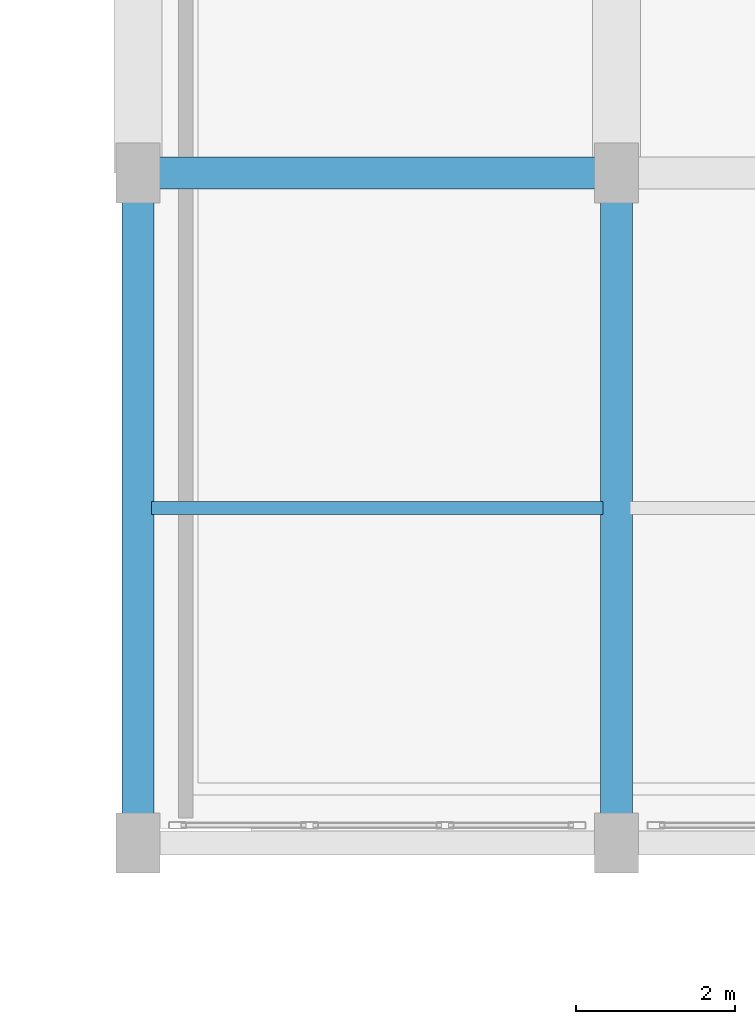
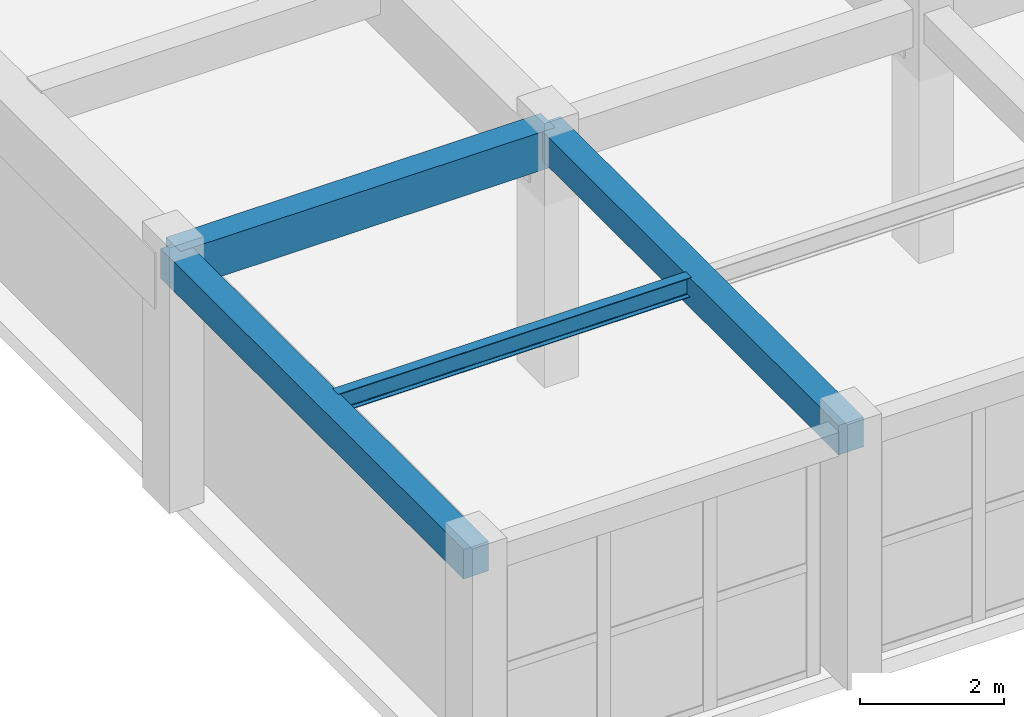
# One storey, part 21 of 92: 4 beams.
"""IFC4 building model written with IfcOpenShell, lengths in metres."""

from ifc_helpers import new_model, si_unit, direction, frame, origin, origin_2d, place, context, subcontext, project, spatial, rectangle, i_section, extrude, material, material_profile, profile_set, type_object, element, save


model = new_model("IFC4")

# Units and contexts
model_context = context("Model", 3, precision=1e-05, world=origin(), true_north=direction((0.0, 1.0)))
body_context = subcontext(model_context, "Body", "Model", "MODEL_VIEW")
ifc_project = project(units=[si_unit("LENGTHUNIT", "METRE"), si_unit("AREAUNIT", "SQUARE_METRE"), si_unit("VOLUMEUNIT", "CUBIC_METRE"), si_unit("PLANEANGLEUNIT", "RADIAN"), si_unit("MASSUNIT", "GRAM", prefix="KILO")], contexts=[model_context])

# Site, building, storey
site_placement = place(None, origin())
site = spatial("IfcSite", under=ifc_project, at=site_placement, CompositionType="ELEMENT")
building_placement = place(site_placement, origin())
building = spatial("IfcBuilding", under=site, at=building_placement, Name="Tarnavel Promenade Courthouse", CompositionType="ELEMENT")
storey_placement = place(building_placement, frame((0.0, 0.0, 5.39990234375)))
storey = spatial("IfcBuildingStorey", under=building, at=storey_placement, Name="L02", CompositionType="ELEMENT", Elevation=5.39990234375)

# Beams
ifc_material_1 = material(Name="Concrete C40/50", Category="concrete")
ifc_material_profile_1 = material_profile(ifc_material_1, rectangle(XDim=0.39990234375, YDim=0.5, at=origin_2d()), Name="RC 400x500")
ifc_profile_set_1 = profile_set([ifc_material_profile_1], Name="Concrete C40/50")
beam_type_1 = type_object("IfcBeamType", Name="Concrete C40/50 BM-RC-400x500 (RC 400x500)", PredefinedType="BEAM", material=ifc_profile_set_1)
for number, where, z_axis, x_axis, name in (
    (1, (120.0, 28.800048828125, 3.985107421875), (0.0, 1.0, 0.0), (-1.0, 0.0, 0.0), "L02 Transverse Girder 1315"),
    (2, (126.0, 28.800048828125, 3.985107421875), (0.0, 1.0, 0.0), (-1.0, 0.0, 0.0), "L02 Transverse Girder 1323"),
):
    element("IfcBeam", number, at=place(storey_placement, frame(where, z_axis=z_axis, x_axis=x_axis)), inside=storey, type_object=beam_type_1, Name=name, PredefinedType="BEAM", context=body_context, shape_type="SweptSolid", body=[
        extrude(rectangle(XDim=0.39990234375, YDim=0.5, at=origin_2d()), origin(), (0.0, 0.0, 1.0), 8.39990234375),
    ])
ifc_material_profile_2 = material_profile(ifc_material_1, rectangle(XDim=0.39990234375, YDim=0.64990234375, at=origin_2d()), Name="RC 400x650")
ifc_profile_set_2 = profile_set([ifc_material_profile_2], Name="Concrete C40/50")
beam_type_2 = type_object("IfcBeamType", Name="Concrete C40/50 BM-RC-400x650 (RC 400x650)", PredefinedType="BEAM", material=ifc_profile_set_2)
beam_1_placement = place(storey_placement, frame((120.0, 37.199951171875, 3.91015625), z_axis=(1.0, 0.0, 0.0), x_axis=(0.0, 1.0, 0.0)))
element("IfcBeam", 3, at=beam_1_placement, inside=storey, type_object=beam_type_2, Name="L02 Primary Longitudinal Beam 1099", PredefinedType="BEAM", context=body_context, shape_type="SweptSolid", body=[
    extrude(rectangle(XDim=0.39990234375, YDim=0.64990234375, at=origin_2d()), origin(), (0.0, 0.0, 1.0), 6.0),
])
ifc_material_2 = material(Name="Steel S355J2", Category="steel")
ifc_material_profile_3 = material_profile(ifc_material_2, i_section(OverallWidth=0.159912109375, OverallDepth=0.330078125, WebThickness=0.007568359375, FlangeThickness=0.011474609375, FilletRadius=0.01806640625, at=origin_2d()), Name="IPE 330")
ifc_profile_set_3 = profile_set([ifc_material_profile_3], Name="Steel S355J2")
beam_type_3 = type_object("IfcBeamType", Name="Steel S355J2 BM-ST-IPE330 (IPE 330)", PredefinedType="JOIST", material=ifc_profile_set_3)
beam_2_placement = place(storey_placement, frame((120.169921875, 33.0, 4.070068359375), z_axis=(1.0, 0.0, 0.0), x_axis=(0.0, 1.0, 0.0)))
element("IfcBeam", 4, at=beam_2_placement, inside=storey, type_object=beam_type_3, Name="L02 Secondary Floor Rib 1367", PredefinedType="JOIST", context=body_context, shape_type="SweptSolid", body=[
    extrude(i_section(OverallWidth=0.159912109375, OverallDepth=0.330078125, WebThickness=0.007568359375, FlangeThickness=0.011474609375, FilletRadius=0.01806640625, at=origin_2d()), origin(), (0.0, 0.0, 1.0), 5.66015625),
])

save(model, "model.ifc")
